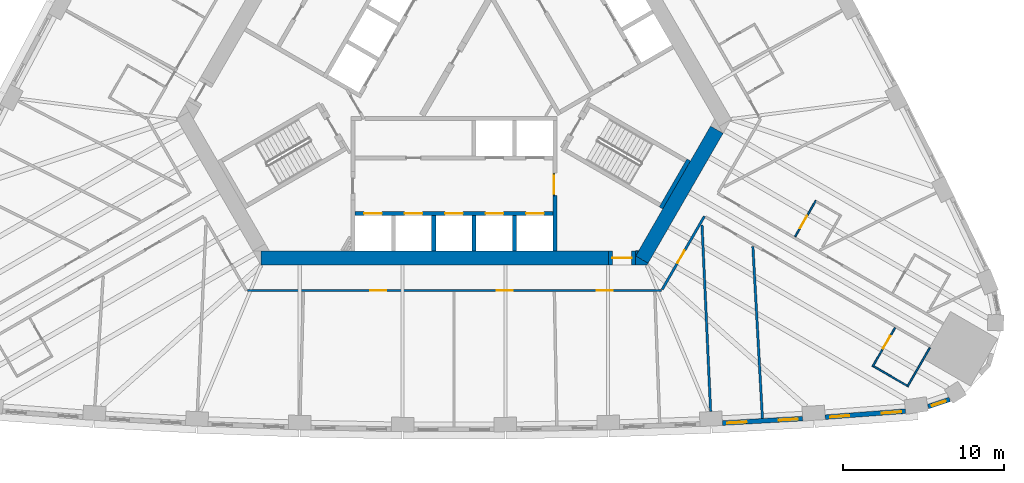
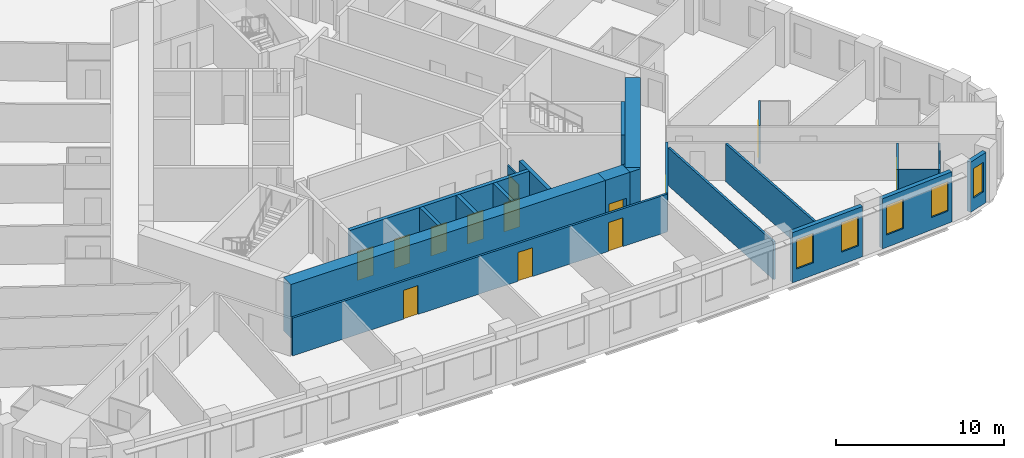
# One storey, part 6 of 12: 23 walls, 13 doors, 5 windows, 18 openings.
"""IFC4 building model written with IfcOpenShell, lengths in metres."""

from ifc_helpers import new_model, si_unit, direction, frame, frame_2d, origin, place, context, subcontext, project, spatial, polyline, rectangle, outline, extrude, material, layer, layer_set, type_object, element, fill, save


model = new_model("IFC4")

# Units and contexts
model_context = context("Model", 3, precision=1e-05, world=origin(), true_north=direction((0.0, 1.0)))
body_context = subcontext(model_context, "Body", "Model", "MODEL_VIEW")
ifc_project = project(units=[si_unit("LENGTHUNIT", "METRE"), si_unit("AREAUNIT", "SQUARE_METRE"), si_unit("VOLUMEUNIT", "CUBIC_METRE"), si_unit("PLANEANGLEUNIT", "RADIAN"), si_unit("MASSUNIT", "GRAM", prefix="KILO")], contexts=[model_context])

# Site, building, storey
site_placement = place(None, origin())
site = spatial("IfcSite", under=ifc_project, at=site_placement, CompositionType="ELEMENT")
building_placement = place(site_placement, origin())
building = spatial("IfcBuilding", under=site, at=building_placement, Name="Mestral Congress Tower", CompositionType="ELEMENT")
storey_placement = place(building_placement, frame((0.0, 0.0, 39.300048828125)))
storey = spatial("IfcBuildingStorey", under=building, at=storey_placement, Name="L08", CompositionType="ELEMENT", Elevation=39.300048828125)

# Wall, opening, door
ifc_material_1 = material(Name="Fire-rated board partition")
ifc_layer_1 = layer(ifc_material_1, 0.090087890625)
ifc_layer_set_1 = layer_set([ifc_layer_1], Name="Fire-rated board partition")
wall_type_1 = type_object("IfcWallType", Name="Core partition 150 door-wall 90", PredefinedType="PARTITIONING", material=ifc_layer_set_1)
wall_1_placement = place(storey_placement, frame((6.219970703125, -7.266357421875, 0.0), z_axis=(0.0, 0.0, 1.0), x_axis=(0.0, -1.0, 0.0)))
wall_1 = element("IfcWall", 1, at=wall_1_placement, inside=storey, type_object=wall_type_1, Name="L08 door wall", PredefinedType="PARTITIONING", context=body_context, shape_type="SweptSolid", body=[
    extrude(rectangle(XDim=1.400146484375, YDim=0.090087890625, at=frame_2d((0.7001953125, 0.0))), origin(), (0.0, 0.0, 1.0), 2.75),
])
opening_1_placement = place(wall_1_placement, frame((0.10009765625, 0.0, 0.0)))
opening_1 = element("IfcOpeningElement", 2, at=opening_1_placement, cuts=wall_1, Name="Opening LB0-WL1", PredefinedType="OPENING", context=body_context, shape_type="SweptSolid", body=[
    extrude(rectangle(XDim=1.199951171875, YDim=2.10009765625, at=frame_2d((0.60009765625, 1.050048828125))), frame((0.0, 0.054931640625, 0.0), z_axis=(0.0, -1.0, 0.0), x_axis=(1.0, 0.0, 0.0)), (0.0, 0.0, 1.0), 0.110107421875),
])
ifc_material_2 = material(Name="Fire-rated steel door set", Category="steel")
door_type_1 = type_object("IfcDoorType", Name="Core door LB 1200x2100", OperationType="SINGLE_SWING_LEFT", PredefinedType="DOOR", material=ifc_material_2)
door_1_placement = place(opening_1_placement, origin())
door_1 = element("IfcDoor", 3, at=door_1_placement, inside=storey, type_object=door_type_1, Name="Door LB0-WL1", OperationType="SINGLE_SWING_LEFT", OverallHeight=2.10009765625, OverallWidth=1.199951171875, PredefinedType="DOOR", context=body_context, shape_type="SweptSolid", body=[
    extrude(rectangle(XDim=1.199951171875, YDim=2.10009765625, at=frame_2d((0.60009765625, 1.050048828125))), frame((0.0, 0.02490234375, 0.0), z_axis=(0.0, -1.0, 0.0), x_axis=(1.0, 0.0, 0.0)), (0.0, 0.0, 1.0), 0.050048828125),
])
fill(opening_1, door_1)

# Walls
ifc_material_3 = material(Name="Concrete C60/75", Category="concrete")
ifc_layer_2 = layer(ifc_material_3, 0.89990234375)
ifc_layer_set_2 = layer_set([ifc_layer_2], Name="Concrete C60/75")
wall_type_2 = type_object("IfcWallType", Name="Core wall RC 900", PredefinedType="SOLIDWALL", material=ifc_layer_set_2)
wall_2_placement = place(storey_placement, frame((11.69482421875, -12.643798828125, 0.0), z_axis=(0.0, 0.0, 1.0), x_axis=(0.500010229568, 0.86601949766, 0.0)))
element("IfcWall", 4, at=wall_2_placement, inside=storey, type_object=wall_type_2, Name="L08 core wall", PredefinedType="SOLIDWALL", context=body_context, shape_type="SweptSolid", body=[
    extrude(rectangle(XDim=9.326416015625, YDim=0.89990234375, at=frame_2d((4.6630859375, 0.0))), origin(), (0.0, 0.0, 1.0), 3.89990234375),
])
placement = place(storey_placement, origin())
element("IfcWall", 5, at=placement, inside=storey, type_object=wall_type_2, Name="L08 core wall", PredefinedType="SOLIDWALL", context=body_context, shape_type="SweptSolid", body=[
    extrude(outline(polyline([(12.0087890625, -13.0), (11.31201171875, -13.0), (11.31201171875, -12.425048828125), (12.08349609375, -12.87060546875), (12.0087890625, -13.0)])), origin(), (0.0, 0.0, 1.0), 3.89990234375),
])
element("IfcWall", 6, at=placement, inside=storey, type_object=wall_type_2, Name="L08 core wall", PredefinedType="SOLIDWALL", context=body_context, shape_type="SweptSolid", body=[
    extrude(outline(polyline([(11.4892578125, -12.10009765625), (11.31201171875, -12.4072265625), (11.31201171875, -12.10009765625), (11.4892578125, -12.10009765625)])), origin(), (0.0, 0.0, 1.0), 3.89990234375),
])
wall_5_placement = place(storey_placement, frame((-12.0185546875, -12.550048828125, 0.0), z_axis=(0.0, 0.0, 1.0), x_axis=(1.0, 0.0, 0.0)))
element("IfcWall", 7, at=wall_5_placement, inside=storey, type_object=wall_type_2, Name="L08 core wall", PredefinedType="SOLIDWALL", context=body_context, shape_type="SweptSolid", body=[
    extrude(rectangle(XDim=21.63037109375, YDim=0.89990234375, at=frame_2d((10.815185546875, 0.0))), origin(), (0.0, 0.0, 1.0), 3.89990234375),
])

# Wall, opening, door
wall_6_placement = place(storey_placement, frame((11.311767578125, -12.550048828125, 0.0), z_axis=(0.0, 0.0, 1.0), x_axis=(-1.0, 0.0, 0.0)))
wall_6 = element("IfcWall", 8, at=wall_6_placement, inside=storey, type_object=wall_type_2, Name="L08 door wall", PredefinedType="SOLIDWALL", context=body_context, shape_type="SweptSolid", body=[
    extrude(rectangle(XDim=1.699951171875, YDim=0.89990234375, at=frame_2d((0.85009765625, 0.0))), origin(), (0.0, 0.0, 1.0), 3.89990234375),
])
opening_2_placement = place(wall_6_placement, frame((0.25, 0.0, 0.0)))
opening_2 = element("IfcOpeningElement", 9, at=opening_2_placement, cuts=wall_6, Name="Opening XD1", PredefinedType="OPENING", context=body_context, shape_type="SweptSolid", body=[
    extrude(rectangle(XDim=1.199951171875, YDim=2.10009765625, at=frame_2d((0.60009765625, 1.050048828125))), frame((0.0, 0.4599609375, 0.0), z_axis=(0.0, -1.0, 0.0), x_axis=(1.0, 0.0, 0.0)), (0.0, 0.0, 1.0), 0.919921875),
])
door_type_2 = type_object("IfcDoorType", Name="Core door XD 1200x2100", OperationType="SINGLE_SWING_LEFT", PredefinedType="DOOR", material=ifc_material_2)
door_2_placement = place(opening_2_placement, origin())
door_2 = element("IfcDoor", 10, at=door_2_placement, inside=storey, type_object=door_type_2, Name="Door XD1", OperationType="SINGLE_SWING_LEFT", OverallHeight=2.10009765625, OverallWidth=1.199951171875, PredefinedType="DOOR", context=body_context, shape_type="SweptSolid", body=[
    extrude(rectangle(XDim=1.199951171875, YDim=2.10009765625, at=frame_2d((0.60009765625, 1.050048828125))), frame((0.0, 0.02490234375, 0.0), z_axis=(0.0, -1.0, 0.0), x_axis=(1.0, 0.0, 0.0)), (0.0, 0.0, 1.0), 0.050048828125),
])
fill(opening_2, door_2)

# Wall, openings, windows
ifc_material_4 = material(Name="Precast concrete C40/50 with limestone facing", Category="masonry")
ifc_layer_3 = layer(ifc_material_4, 0.2900390625)
ifc_layer_set_3 = layer_set([ifc_layer_3], Name="Precast concrete C40/50 with limestone facing")
wall_type_3 = type_object("IfcWallType", Name="Facade stone wall 290", PredefinedType="SOLIDWALL", material=ifc_layer_set_3)
wall_7_placement = place(storey_placement, frame((16.7109375, -22.823974609375, 0.0), z_axis=(0.0, 0.0, 1.0), x_axis=(0.998464708705, 0.055391564976, 0.0)))
wall_7 = element("IfcWall", 11, at=wall_7_placement, inside=storey, type_object=wall_type_3, Name="Facade wall F0-07", PredefinedType="SOLIDWALL", context=body_context, shape_type="SweptSolid", body=[
    extrude(rectangle(XDim=4.998046875, YDim=0.2900390625, at=frame_2d((2.4990234375, 0.0))), origin(), (0.0, 0.0, 1.0), 3.64990234375),
])
opening_3_placement = place(wall_7_placement, frame((0.297119140625, 0.0, 0.89990234375)))
opening_3 = element("IfcOpeningElement", 12, at=opening_3_placement, cuts=wall_7, Name="Opening W1", PredefinedType="OPENING", context=body_context, shape_type="SweptSolid", body=[
    extrude(rectangle(XDim=1.199951171875, YDim=2.14990234375, at=frame_2d((0.60009765625, 1.074951171875))), frame((0.0, 0.155029296875, 0.0), z_axis=(0.0, -1.0, 0.0), x_axis=(1.0, 0.0, 0.0)), (0.0, 0.0, 1.0), 0.31005859375),
])
opening_4_placement = place(wall_7_placement, frame((3.501220703125, 0.0, 0.89990234375)))
opening_4 = element("IfcOpeningElement", 13, at=opening_4_placement, cuts=wall_7, Name="Opening W1", PredefinedType="OPENING", context=body_context, shape_type="SweptSolid", body=[
    extrude(rectangle(XDim=1.199951171875, YDim=2.14990234375, at=frame_2d((0.60009765625, 1.074951171875))), frame((0.0, 0.155029296875, 0.0), z_axis=(0.0, -1.0, 0.0), x_axis=(1.0, 0.0, 0.0)), (0.0, 0.0, 1.0), 0.31005859375),
])
ifc_material_5 = material(Name="Clear low-emissivity double glazing", Category="glass")
window_type_1 = type_object("IfcWindowType", Name="Facade punched window 1200 x 2150 sill 900", PartitioningType="DOUBLE_PANEL_VERTICAL", PredefinedType="WINDOW", material=ifc_material_5)
window_1_placement = place(opening_3_placement, origin())
window_1 = element("IfcWindow", 14, at=window_1_placement, inside=storey, type_object=window_type_1, Name="Window F0-07a", OverallHeight=2.14990234375, OverallWidth=1.199951171875, PartitioningType="DOUBLE_PANEL_VERTICAL", PredefinedType="WINDOW", context=body_context, shape_type="SweptSolid", body=[
    extrude(rectangle(XDim=1.199951171875, YDim=2.14990234375, at=frame_2d((0.60009765625, 1.074951171875))), frame((0.0, 0.01513671875, 0.0), z_axis=(0.0, -1.0, 0.0), x_axis=(1.0, 0.0, 0.0)), (0.0, 0.0, 1.0), 0.06005859375),
])
fill(opening_3, window_1)
window_2_placement = place(opening_4_placement, origin())
window_2 = element("IfcWindow", 15, at=window_2_placement, inside=storey, type_object=window_type_1, Name="Window F0-07b", OverallHeight=2.14990234375, OverallWidth=1.199951171875, PartitioningType="DOUBLE_PANEL_VERTICAL", PredefinedType="WINDOW", context=body_context, shape_type="SweptSolid", body=[
    extrude(rectangle(XDim=1.199951171875, YDim=2.14990234375, at=frame_2d((0.60009765625, 1.074951171875))), frame((0.0, 0.01513671875, 0.0), z_axis=(0.0, -1.0, 0.0), x_axis=(1.0, 0.0, 0.0)), (0.0, 0.0, 1.0), 0.06005859375),
])
fill(opening_4, window_2)

wall_8_placement = place(storey_placement, frame((23.10595703125, -22.4560546875, 0.0), z_axis=(0.0, 0.0, 1.0), x_axis=(0.997266290399, 0.073891447643, 0.0)))
wall_8 = element("IfcWall", 16, at=wall_8_placement, inside=storey, type_object=wall_type_3, Name="Facade wall F0-08", PredefinedType="SOLIDWALL", context=body_context, shape_type="SweptSolid", body=[
    extrude(rectangle(XDim=5.005615234375, YDim=0.2900390625, at=frame_2d((2.5029296875, 0.0))), origin(), (0.0, 0.0, 1.0), 3.64990234375),
])
opening_5_placement = place(wall_8_placement, frame((0.31005859375, 0.0, 0.89990234375)))
opening_5 = element("IfcOpeningElement", 17, at=opening_5_placement, cuts=wall_8, Name="Opening W1", PredefinedType="OPENING", context=body_context, shape_type="SweptSolid", body=[
    extrude(rectangle(XDim=1.199951171875, YDim=2.14990234375, at=frame_2d((0.60009765625, 1.074951171875))), frame((0.0, 0.155029296875, 0.0), z_axis=(0.0, -1.0, 0.0), x_axis=(1.0, 0.0, 0.0)), (0.0, 0.0, 1.0), 0.31005859375),
])
opening_6_placement = place(wall_8_placement, frame((3.540283203125, 0.0, 0.89990234375)))
opening_6 = element("IfcOpeningElement", 18, at=opening_6_placement, cuts=wall_8, Name="Opening W1", PredefinedType="OPENING", context=body_context, shape_type="SweptSolid", body=[
    extrude(rectangle(XDim=1.199951171875, YDim=2.14990234375, at=frame_2d((0.60009765625, 1.074951171875))), frame((0.0, 0.155029296875, 0.0), z_axis=(0.0, -1.0, 0.0), x_axis=(1.0, 0.0, 0.0)), (0.0, 0.0, 1.0), 0.31005859375),
])
window_3_placement = place(opening_5_placement, origin())
window_3 = element("IfcWindow", 19, at=window_3_placement, inside=storey, type_object=window_type_1, Name="Window F0-08a", OverallHeight=2.14990234375, OverallWidth=1.199951171875, PartitioningType="DOUBLE_PANEL_VERTICAL", PredefinedType="WINDOW", context=body_context, shape_type="SweptSolid", body=[
    extrude(rectangle(XDim=1.199951171875, YDim=2.14990234375, at=frame_2d((0.60009765625, 1.074951171875))), frame((0.0, 0.01513671875, 0.0), z_axis=(0.0, -1.0, 0.0), x_axis=(1.0, 0.0, 0.0)), (0.0, 0.0, 1.0), 0.06005859375),
])
fill(opening_5, window_3)
window_4_placement = place(opening_6_placement, origin())
window_4 = element("IfcWindow", 20, at=window_4_placement, inside=storey, type_object=window_type_1, Name="Window F0-08b", OverallHeight=2.14990234375, OverallWidth=1.199951171875, PartitioningType="DOUBLE_PANEL_VERTICAL", PredefinedType="WINDOW", context=body_context, shape_type="SweptSolid", body=[
    extrude(rectangle(XDim=1.199951171875, YDim=2.14990234375, at=frame_2d((0.60009765625, 1.074951171875))), frame((0.0, 0.01513671875, 0.0), z_axis=(0.0, -1.0, 0.0), x_axis=(1.0, 0.0, 0.0)), (0.0, 0.0, 1.0), 0.06005859375),
])
fill(opening_6, window_4)

# Wall, opening, window
wall_9_placement = place(storey_placement, frame((29.51171875, -21.80224609375, 0.0), z_axis=(0.0, 0.0, 1.0), x_axis=(0.947903891592, 0.318556450734, 0.0)))
wall_9 = element("IfcWall", 21, at=wall_9_placement, inside=storey, type_object=wall_type_3, Name="Facade wall K0-0", PredefinedType="SOLIDWALL", context=body_context, shape_type="SweptSolid", body=[
    extrude(rectangle(XDim=1.414794921875, YDim=0.2900390625, at=frame_2d((0.70751953125, 0.0))), origin(), (0.0, 0.0, 1.0), 3.64990234375),
])
opening_7_placement = place(wall_9_placement, frame((0.25732421875, 0.0, 0.89990234375)))
opening_7 = element("IfcOpeningElement", 22, at=opening_7_placement, cuts=wall_9, Name="Opening W3", PredefinedType="OPENING", context=body_context, shape_type="SweptSolid", body=[
    extrude(rectangle(XDim=0.89990234375, YDim=2.14990234375, at=frame_2d((0.449951171875, 1.074951171875))), frame((0.0, 0.155029296875, 0.0), z_axis=(0.0, -1.0, 0.0), x_axis=(1.0, 0.0, 0.0)), (0.0, 0.0, 1.0), 0.31005859375),
])
window_type_2 = type_object("IfcWindowType", Name="Facade punched window 900 x 2150 sill 900", PartitioningType="SINGLE_PANEL", PredefinedType="WINDOW", material=ifc_material_5)
window_5_placement = place(opening_7_placement, origin())
window_5 = element("IfcWindow", 23, at=window_5_placement, inside=storey, type_object=window_type_2, Name="Window K0-0", OverallHeight=2.14990234375, OverallWidth=0.89990234375, PartitioningType="SINGLE_PANEL", PredefinedType="WINDOW", context=body_context, shape_type="SweptSolid", body=[
    extrude(rectangle(XDim=0.89990234375, YDim=2.14990234375, at=frame_2d((0.449951171875, 1.074951171875))), frame((0.0, 0.01513671875, 0.0), z_axis=(0.0, -1.0, 0.0), x_axis=(1.0, 0.0, 0.0)), (0.0, 0.0, 1.0), 0.06005859375),
])
fill(opening_7, window_5)

# Wall, opening, door
ifc_material_6 = material(Name="Gypsum board partition on metal studs with mineral wool", Category="composite")
ifc_layer_4 = layer(ifc_material_6, 0.10009765625)
ifc_layer_set_4 = layer_set([ifc_layer_4], Name="Gypsum board partition on metal studs with mineral wool")
wall_type_4 = type_object("IfcWallType", Name="Hotel partition wall 100", PredefinedType="PARTITIONING", material=ifc_layer_set_4)
wall_10_placement = place(storey_placement, frame((27.452392578125, -16.888916015625, 0.0), z_axis=(0.0, 0.0, 1.0), x_axis=(-0.49998411664, -0.866034573852, 0.0)))
wall_10 = element("IfcWall", 24, at=wall_10_placement, inside=storey, type_object=wall_type_4, Name="L08-h-pod09a", PredefinedType="PARTITIONING", context=body_context, shape_type="SweptSolid", body=[
    extrude(rectangle(XDim=2.7998046875, YDim=0.10009765625, at=frame_2d((1.39990234375, 0.0))), origin(), (0.0, 0.0, 1.0), 2.75),
])
opening_8_placement = place(wall_10_placement, frame((0.60009765625, 0.0, 0.0)))
opening_8 = element("IfcOpeningElement", 25, at=opening_8_placement, cuts=wall_10, Name="Opening H02-011", PredefinedType="OPENING", context=body_context, shape_type="SweptSolid", body=[
    extrude(rectangle(XDim=0.89990234375, YDim=2.10009765625, at=frame_2d((0.449951171875, 1.050048828125))), frame((0.0, 0.06005859375, 0.0), z_axis=(0.0, -1.0, 0.0), x_axis=(1.0, 0.0, 0.0)), (0.0, 0.0, 1.0), 0.1201171875),
])
ifc_material_7 = material(Name="Timber veneer door leaf in timber frame", Category="wood")
door_type_3 = type_object("IfcDoorType", Name="Bathroom door 900", OperationType="SINGLE_SWING_LEFT", PredefinedType="DOOR", material=ifc_material_7)
door_3_placement = place(opening_8_placement, origin())
door_3 = element("IfcDoor", 26, at=door_3_placement, inside=storey, type_object=door_type_3, Name="L08-h-d011", OperationType="SINGLE_SWING_RIGHT", OverallHeight=2.10009765625, OverallWidth=0.89990234375, PredefinedType="DOOR", context=body_context, shape_type="SweptSolid", body=[
    extrude(rectangle(XDim=0.89990234375, YDim=2.10009765625, at=frame_2d((0.449951171875, 1.050048828125))), frame((0.0, 0.02490234375, 0.0), z_axis=(0.0, -1.0, 0.0), x_axis=(1.0, 0.0, 0.0)), (0.0, 0.0, 1.0), 0.050048828125),
])
fill(opening_8, door_3)

# Walls
wall_11_placement = place(storey_placement, frame((26.12060546875, -19.29541015625, 0.0), z_axis=(0.0, 0.0, 1.0), x_axis=(0.866006032174, -0.500033551112, 0.0)))
element("IfcWall", 27, at=wall_11_placement, inside=storey, type_object=wall_type_4, Name="L08-h-pod09b", PredefinedType="PARTITIONING", context=body_context, shape_type="SweptSolid", body=[
    extrude(rectangle(XDim=2.400146484375, YDim=0.10009765625, at=frame_2d((1.2001953125, 0.0))), origin(), (0.0, 0.0, 1.0), 2.75),
])
wall_12_placement = place(storey_placement, frame((29.617431640625, -18.138916015625, 0.0), z_axis=(0.0, 0.0, 1.0), x_axis=(-0.49998411664, -0.866034573852, 0.0)))
element("IfcWall", 28, at=wall_12_placement, inside=storey, type_object=wall_type_4, Name="L08-h-pod09c", PredefinedType="PARTITIONING", context=body_context, shape_type="SweptSolid", body=[
    extrude(rectangle(XDim=2.7998046875, YDim=0.10009765625, at=frame_2d((1.39990234375, 0.0))), origin(), (0.0, 0.0, 1.0), 2.75),
])

# Wall, opening, door
wall_13_placement = place(storey_placement, frame((22.5302734375, -8.96630859375, 0.0), z_axis=(0.0, 0.0, 1.0), x_axis=(-0.500006934395, -0.866021400173, 0.0)))
wall_13 = element("IfcWall", 29, at=wall_13_placement, inside=storey, type_object=wall_type_4, Name="L08-h-pod11a", PredefinedType="PARTITIONING", context=body_context, shape_type="SweptSolid", body=[
    extrude(rectangle(XDim=2.60009765625, YDim=0.10009765625, at=frame_2d((1.300048828125, 0.0))), origin(), (0.0, 0.0, 1.0), 2.75),
])
opening_9_placement = place(wall_13_placement, frame((1.10009765625, 0.0, 0.0)))
opening_9 = element("IfcOpeningElement", 30, at=opening_9_placement, cuts=wall_13, Name="Opening H02-015", PredefinedType="OPENING", context=body_context, shape_type="SweptSolid", body=[
    extrude(rectangle(XDim=0.89990234375, YDim=2.10009765625, at=frame_2d((0.449951171875, 1.050048828125))), frame((0.0, 0.06005859375, 0.0), z_axis=(0.0, -1.0, 0.0), x_axis=(1.0, 0.0, 0.0)), (0.0, 0.0, 1.0), 0.1201171875),
])
door_4_placement = place(opening_9_placement, origin())
door_4 = element("IfcDoor", 31, at=door_4_placement, inside=storey, type_object=door_type_3, Name="L08-h-d015", OperationType="SINGLE_SWING_LEFT", OverallHeight=2.10009765625, OverallWidth=0.89990234375, PredefinedType="DOOR", context=body_context, shape_type="SweptSolid", body=[
    extrude(rectangle(XDim=0.89990234375, YDim=2.10009765625, at=frame_2d((0.449951171875, 1.050048828125))), frame((0.0, 0.02490234375, 0.0), z_axis=(0.0, -1.0, 0.0), x_axis=(1.0, 0.0, 0.0)), (0.0, 0.0, 1.0), 0.050048828125),
])
fill(opening_9, door_4)

# Wall, openings, doors
ifc_layer_5 = layer(ifc_material_6, 0.14990234375)
ifc_layer_set_5 = layer_set([ifc_layer_5], Name="Gypsum board partition on metal studs with mineral wool")
wall_type_5 = type_object("IfcWallType", Name="Hotel partition wall 150", PredefinedType="PARTITIONING", material=ifc_layer_set_5)
wall_14_placement = place(storey_placement, frame((12.918212890625, -14.574951171875, 0.0), z_axis=(0.0, 0.0, 1.0), x_axis=(-1.0, 0.0, 0.0)))
wall_14 = element("IfcWall", 32, at=wall_14_placement, inside=storey, type_object=wall_type_5, Name="L08-h-cw13", PredefinedType="PARTITIONING", context=body_context, shape_type="SweptSolid", body=[
    extrude(rectangle(XDim=25.766357421875, YDim=0.14990234375, at=frame_2d((12.88330078125, 0.0))), origin(), (0.0, 0.0, 1.0), 2.75),
])
opening_10_placement = place(wall_14_placement, frame((17.140869140625, 0.0, 0.0)))
opening_10 = element("IfcOpeningElement", 33, at=opening_10_placement, cuts=wall_14, Name="Opening H02-005", PredefinedType="OPENING", context=body_context, shape_type="SweptSolid", body=[
    extrude(rectangle(XDim=1.0, YDim=2.10009765625, at=frame_2d((0.5, 1.050048828125))), frame((0.0, 0.0849609375, 0.0), z_axis=(0.0, -1.0, 0.0), x_axis=(1.0, 0.0, 0.0)), (0.0, 0.0, 1.0), 0.169921875),
])
opening_11_placement = place(wall_14_placement, frame((9.258544921875, 0.0, 0.0)))
opening_11 = element("IfcOpeningElement", 34, at=opening_11_placement, cuts=wall_14, Name="Opening H02-006", PredefinedType="OPENING", context=body_context, shape_type="SweptSolid", body=[
    extrude(rectangle(XDim=1.0, YDim=2.10009765625, at=frame_2d((0.5, 1.050048828125))), frame((0.0, 0.0849609375, 0.0), z_axis=(0.0, -1.0, 0.0), x_axis=(1.0, 0.0, 0.0)), (0.0, 0.0, 1.0), 0.169921875),
])
opening_12_placement = place(wall_14_placement, frame((3.044189453125, 0.0, 0.0)))
opening_12 = element("IfcOpeningElement", 35, at=opening_12_placement, cuts=wall_14, Name="Opening H02-007", PredefinedType="OPENING", context=body_context, shape_type="SweptSolid", body=[
    extrude(rectangle(XDim=1.0, YDim=2.10009765625, at=frame_2d((0.5, 1.050048828125))), frame((0.0, 0.0849609375, 0.0), z_axis=(0.0, -1.0, 0.0), x_axis=(1.0, 0.0, 0.0)), (0.0, 0.0, 1.0), 0.169921875),
])
ifc_material_8 = material(Name="Timber veneer door leaf in metal frame", Category="wood")
door_type_4 = type_object("IfcDoorType", Name="Guest room entrance door 1000", OperationType="SINGLE_SWING_LEFT", PredefinedType="DOOR", material=ifc_material_8)
door_5_placement = place(opening_10_placement, origin())
door_5 = element("IfcDoor", 36, at=door_5_placement, inside=storey, type_object=door_type_4, Name="L08-h-d005", OperationType="SINGLE_SWING_RIGHT", OverallHeight=2.10009765625, OverallWidth=1.0, PredefinedType="DOOR", context=body_context, shape_type="SweptSolid", body=[
    extrude(rectangle(XDim=1.0, YDim=2.10009765625, at=frame_2d((0.5, 1.050048828125))), frame((0.0, 0.02490234375, 0.0), z_axis=(0.0, -1.0, 0.0), x_axis=(1.0, 0.0, 0.0)), (0.0, 0.0, 1.0), 0.050048828125),
])
fill(opening_10, door_5)
door_6_placement = place(opening_11_placement, origin())
door_6 = element("IfcDoor", 37, at=door_6_placement, inside=storey, type_object=door_type_4, Name="L08-h-d006", OperationType="SINGLE_SWING_LEFT", OverallHeight=2.10009765625, OverallWidth=1.0, PredefinedType="DOOR", context=body_context, shape_type="SweptSolid", body=[
    extrude(rectangle(XDim=1.0, YDim=2.10009765625, at=frame_2d((0.5, 1.050048828125))), frame((0.0, 0.02490234375, 0.0), z_axis=(0.0, -1.0, 0.0), x_axis=(1.0, 0.0, 0.0)), (0.0, 0.0, 1.0), 0.050048828125),
])
fill(opening_11, door_6)
door_7_placement = place(opening_12_placement, origin())
door_7 = element("IfcDoor", 38, at=door_7_placement, inside=storey, type_object=door_type_4, Name="L08-h-d007", OperationType="SINGLE_SWING_RIGHT", OverallHeight=2.10009765625, OverallWidth=1.0, PredefinedType="DOOR", context=body_context, shape_type="SweptSolid", body=[
    extrude(rectangle(XDim=1.0, YDim=2.10009765625, at=frame_2d((0.5, 1.050048828125))), frame((0.0, 0.02490234375, 0.0), z_axis=(0.0, -1.0, 0.0), x_axis=(1.0, 0.0, 0.0)), (0.0, 0.0, 1.0), 0.050048828125),
])
fill(opening_12, door_7)

# Wall, opening, door
wall_15_placement = place(storey_placement, frame((15.58740234375, -9.951904296875, 0.0), z_axis=(0.0, 0.0, 1.0), x_axis=(-0.500016618951, -0.866015808616, 0.0)))
wall_15 = element("IfcWall", 39, at=wall_15_placement, inside=storey, type_object=wall_type_5, Name="L08-h-cw14", PredefinedType="PARTITIONING", context=body_context, shape_type="SweptSolid", body=[
    extrude(rectangle(XDim=5.268310546875, YDim=0.14990234375, at=frame_2d((2.63427734375, 0.0))), origin(), (0.0, 0.0, 1.0), 2.75),
])
opening_13_placement = place(wall_15_placement, frame((2.46533203125, 0.0, 0.0)))
opening_13 = element("IfcOpeningElement", 40, at=opening_13_placement, cuts=wall_15, Name="Opening H02-008", PredefinedType="OPENING", context=body_context, shape_type="SweptSolid", body=[
    extrude(rectangle(XDim=0.89990234375, YDim=2.10009765625, at=frame_2d((0.449951171875, 1.050048828125))), frame((0.0, 0.0849609375, 0.0), z_axis=(0.0, -1.0, 0.0), x_axis=(1.0, 0.0, 0.0)), (0.0, 0.0, 1.0), 0.169921875),
])
door_type_5 = type_object("IfcDoorType", Name="Service room door 900", OperationType="SINGLE_SWING_LEFT", PredefinedType="DOOR", material=ifc_material_8)
door_8_placement = place(opening_13_placement, origin())
door_8 = element("IfcDoor", 41, at=door_8_placement, inside=storey, type_object=door_type_5, Name="L08-h-d008", OperationType="SINGLE_SWING_LEFT", OverallHeight=2.10009765625, OverallWidth=0.89990234375, PredefinedType="DOOR", context=body_context, shape_type="SweptSolid", body=[
    extrude(rectangle(XDim=0.89990234375, YDim=2.10009765625, at=frame_2d((0.449951171875, 1.050048828125))), frame((0.0, 0.02490234375, 0.0), z_axis=(0.0, -1.0, 0.0), x_axis=(1.0, 0.0, 0.0)), (0.0, 0.0, 1.0), 0.050048828125),
])
fill(opening_13, door_8)

# Walls
wall_16_placement = place(storey_placement, frame((15.973388671875, -22.10888671875, 0.0), z_axis=(0.0, 0.0, 1.0), x_axis=(-0.046191717129, 0.998932592955, 0.0)))
element("IfcWall", 42, at=wall_16_placement, inside=storey, type_object=wall_type_5, Name="L08-h-pw22", PredefinedType="PARTITIONING", context=body_context, shape_type="SweptSolid", body=[
    extrude(rectangle(XDim=11.638427734375, YDim=0.14990234375, at=frame_2d((5.8193359375, 0.0))), origin(), (0.0, 0.0, 1.0), 2.75),
])
wall_17_placement = place(storey_placement, frame((19.1982421875, -22.540771484375, 0.0), z_axis=(0.0, 0.0, 1.0), x_axis=(-0.055432210572, 0.99846245299, 0.0)))
element("IfcWall", 43, at=wall_17_placement, inside=storey, type_object=wall_type_5, Name="L08-h-pw25", PredefinedType="PARTITIONING", context=body_context, shape_type="SweptSolid", body=[
    extrude(rectangle(XDim=10.72900390625, YDim=0.14990234375, at=frame_2d((5.364501953125, 0.0))), origin(), (0.0, 0.0, 1.0), 2.75),
])
ifc_layer_6 = layer(ifc_material_3, 0.25)
ifc_layer_set_6 = layer_set([ifc_layer_6], Name="Concrete C60/75")
wall_type_6 = type_object("IfcWallType", Name="Shaft wall RC 250", PredefinedType="SOLIDWALL", material=ifc_layer_set_6)
wall_18_placement = place(storey_placement, frame((6.300048828125, -8.669921875, 0.0), z_axis=(0.0, 0.0, 1.0), x_axis=(0.0, -1.0, 0.0)))
element("IfcWall", 44, at=wall_18_placement, inside=storey, type_object=wall_type_6, Name="L08 core wall", PredefinedType="SOLIDWALL", context=body_context, shape_type="SweptSolid", body=[
    extrude(rectangle(XDim=3.43017578125, YDim=0.25, at=frame_2d((1.715087890625, 0.0))), origin(), (0.0, 0.0, 1.0), 3.89990234375),
])
for number, where, z_axis, x_axis, name in (
    (45, (3.780029296875, -12.10009765625, 0.0), (0.0, 0.0, 1.0), (0.0, 1.0, 0.0), "L08 core wall"),
    (46, (1.260009765625, -12.10009765625, 0.0), (0.0, 0.0, 1.0), (0.0, 1.0, 0.0), "L08 core wall"),
    (47, (-1.260009765625, -12.10009765625, 0.0), (0.0, 0.0, 1.0), (0.0, 1.0, 0.0), "L08 core wall"),
):
    element("IfcWall", number, at=place(storey_placement, frame(where, z_axis=z_axis, x_axis=x_axis)), inside=storey, type_object=wall_type_6, Name=name, PredefinedType="SOLIDWALL", context=body_context, shape_type="SweptSolid", body=[
        extrude(rectangle(XDim=2.199951171875, YDim=0.25, at=frame_2d((1.10009765625, 0.0))), origin(), (0.0, 0.0, 1.0), 3.89990234375),
    ])

# Wall, openings, doors
wall_19_placement = place(storey_placement, frame((-6.175048828125, -9.77490234375, 0.0), z_axis=(0.0, 0.0, 1.0), x_axis=(1.0, 0.0, 0.0)))
wall_19 = element("IfcWall", 48, at=wall_19_placement, inside=storey, type_object=wall_type_6, Name="L08 door wall", PredefinedType="SOLIDWALL", context=body_context, shape_type="SweptSolid", body=[
    extrude(rectangle(XDim=12.35009765625, YDim=0.25, at=frame_2d((6.175048828125, 0.0))), origin(), (0.0, 0.0, 1.0), 3.89990234375),
])
opening_14_placement = place(wall_19_placement, frame((0.5849609375, 0.0, 0.0)))
opening_14 = element("IfcOpeningElement", 49, at=opening_14_placement, cuts=wall_19, Name="Opening LD-SOA1", PredefinedType="OPENING", context=body_context, shape_type="SweptSolid", body=[
    extrude(rectangle(XDim=1.10009765625, YDim=2.10009765625, at=frame_2d((0.550048828125, 1.050048828125))), frame((0.0, 0.135009765625, 0.0), z_axis=(0.0, -1.0, 0.0), x_axis=(1.0, 0.0, 0.0)), (0.0, 0.0, 1.0), 0.27001953125),
])
opening_15_placement = place(wall_19_placement, frame((3.10498046875, 0.0, 0.0)))
opening_15 = element("IfcOpeningElement", 50, at=opening_15_placement, cuts=wall_19, Name="Opening LD-SOA2", PredefinedType="OPENING", context=body_context, shape_type="SweptSolid", body=[
    extrude(rectangle(XDim=1.10009765625, YDim=2.10009765625, at=frame_2d((0.550048828125, 1.050048828125))), frame((0.0, 0.135009765625, 0.0), z_axis=(0.0, -1.0, 0.0), x_axis=(1.0, 0.0, 0.0)), (0.0, 0.0, 1.0), 0.27001953125),
])
opening_16_placement = place(wall_19_placement, frame((5.625, 0.0, 0.0)))
opening_16 = element("IfcOpeningElement", 51, at=opening_16_placement, cuts=wall_19, Name="Opening LD-SOA3", PredefinedType="OPENING", context=body_context, shape_type="SweptSolid", body=[
    extrude(rectangle(XDim=1.10009765625, YDim=2.10009765625, at=frame_2d((0.550048828125, 1.050048828125))), frame((0.0, 0.135009765625, 0.0), z_axis=(0.0, -1.0, 0.0), x_axis=(1.0, 0.0, 0.0)), (0.0, 0.0, 1.0), 0.27001953125),
])
opening_17_placement = place(wall_19_placement, frame((8.14501953125, 0.0, 0.0)))
opening_17 = element("IfcOpeningElement", 52, at=opening_17_placement, cuts=wall_19, Name="Opening LD-SOA4", PredefinedType="OPENING", context=body_context, shape_type="SweptSolid", body=[
    extrude(rectangle(XDim=1.10009765625, YDim=2.10009765625, at=frame_2d((0.550048828125, 1.050048828125))), frame((0.0, 0.135009765625, 0.0), z_axis=(0.0, -1.0, 0.0), x_axis=(1.0, 0.0, 0.0)), (0.0, 0.0, 1.0), 0.27001953125),
])
opening_18_placement = place(wall_19_placement, frame((10.6650390625, 0.0, 0.0)))
opening_18 = element("IfcOpeningElement", 53, at=opening_18_placement, cuts=wall_19, Name="Opening LD-SOA5", PredefinedType="OPENING", context=body_context, shape_type="SweptSolid", body=[
    extrude(rectangle(XDim=1.10009765625, YDim=2.10009765625, at=frame_2d((0.550048828125, 1.050048828125))), frame((0.0, 0.135009765625, 0.0), z_axis=(0.0, -1.0, 0.0), x_axis=(1.0, 0.0, 0.0)), (0.0, 0.0, 1.0), 0.27001953125),
])
door_type_6 = type_object("IfcDoorType", Name="Core door LD 1100x2100", OperationType="DOUBLE_DOOR_SLIDING", PredefinedType="DOOR", material=ifc_material_2)
door_9_placement = place(opening_14_placement, origin())
door_9 = element("IfcDoor", 54, at=door_9_placement, inside=storey, type_object=door_type_6, Name="Door LD-SOA1", OperationType="DOUBLE_DOOR_SLIDING", OverallHeight=2.10009765625, OverallWidth=1.10009765625, PredefinedType="DOOR", context=body_context, shape_type="SweptSolid", body=[
    extrude(rectangle(XDim=1.10009765625, YDim=2.10009765625, at=frame_2d((0.550048828125, 1.050048828125))), frame((0.0, 0.02490234375, 0.0), z_axis=(0.0, -1.0, 0.0), x_axis=(1.0, 0.0, 0.0)), (0.0, 0.0, 1.0), 0.050048828125),
])
fill(opening_14, door_9)
door_10_placement = place(opening_15_placement, origin())
door_10 = element("IfcDoor", 55, at=door_10_placement, inside=storey, type_object=door_type_6, Name="Door LD-SOA2", OperationType="DOUBLE_DOOR_SLIDING", OverallHeight=2.10009765625, OverallWidth=1.10009765625, PredefinedType="DOOR", context=body_context, shape_type="SweptSolid", body=[
    extrude(rectangle(XDim=1.10009765625, YDim=2.10009765625, at=frame_2d((0.550048828125, 1.050048828125))), frame((0.0, 0.02490234375, 0.0), z_axis=(0.0, -1.0, 0.0), x_axis=(1.0, 0.0, 0.0)), (0.0, 0.0, 1.0), 0.050048828125),
])
fill(opening_15, door_10)
door_11_placement = place(opening_16_placement, origin())
door_11 = element("IfcDoor", 56, at=door_11_placement, inside=storey, type_object=door_type_6, Name="Door LD-SOA3", OperationType="DOUBLE_DOOR_SLIDING", OverallHeight=2.10009765625, OverallWidth=1.10009765625, PredefinedType="DOOR", context=body_context, shape_type="SweptSolid", body=[
    extrude(rectangle(XDim=1.10009765625, YDim=2.10009765625, at=frame_2d((0.550048828125, 1.050048828125))), frame((0.0, 0.02490234375, 0.0), z_axis=(0.0, -1.0, 0.0), x_axis=(1.0, 0.0, 0.0)), (0.0, 0.0, 1.0), 0.050048828125),
])
fill(opening_16, door_11)
door_12_placement = place(opening_17_placement, origin())
door_12 = element("IfcDoor", 57, at=door_12_placement, inside=storey, type_object=door_type_6, Name="Door LD-SOA4", OperationType="DOUBLE_DOOR_SLIDING", OverallHeight=2.10009765625, OverallWidth=1.10009765625, PredefinedType="DOOR", context=body_context, shape_type="SweptSolid", body=[
    extrude(rectangle(XDim=1.10009765625, YDim=2.10009765625, at=frame_2d((0.550048828125, 1.050048828125))), frame((0.0, 0.02490234375, 0.0), z_axis=(0.0, -1.0, 0.0), x_axis=(1.0, 0.0, 0.0)), (0.0, 0.0, 1.0), 0.050048828125),
])
fill(opening_17, door_12)
door_13_placement = place(opening_18_placement, origin())
door_13 = element("IfcDoor", 58, at=door_13_placement, inside=storey, type_object=door_type_6, Name="Door LD-SOA5", OperationType="DOUBLE_DOOR_SLIDING", OverallHeight=2.10009765625, OverallWidth=1.10009765625, PredefinedType="DOOR", context=body_context, shape_type="SweptSolid", body=[
    extrude(rectangle(XDim=1.10009765625, YDim=2.10009765625, at=frame_2d((0.550048828125, 1.050048828125))), frame((0.0, 0.02490234375, 0.0), z_axis=(0.0, -1.0, 0.0), x_axis=(1.0, 0.0, 0.0)), (0.0, 0.0, 1.0), 0.050048828125),
])
fill(opening_18, door_13)

# Wall
ifc_layer_7 = layer(ifc_material_3, 0.25)
ifc_layer_set_7 = layer_set([ifc_layer_7], Name="Concrete C60/75")
wall_type_7 = type_object("IfcWallType", Name="Stair wall RC 250", PredefinedType="SOLIDWALL", material=ifc_layer_set_7)
wall_20_placement = place(storey_placement, frame((12.885498046875, -9.431396484375, 0.0), z_axis=(0.0, 0.0, 1.0), x_axis=(0.500020560727, 0.866013532718, 0.0)))
element("IfcWall", 59, at=wall_20_placement, inside=storey, type_object=wall_type_7, Name="L08 core wall", PredefinedType="SOLIDWALL", context=body_context, shape_type="SweptSolid", body=[
    extrude(rectangle(XDim=3.449951171875, YDim=0.25, at=frame_2d((1.72509765625, 0.0))), origin(), (0.0, 0.0, 1.0), 3.89990234375),
])

save(model, "model.ifc")
